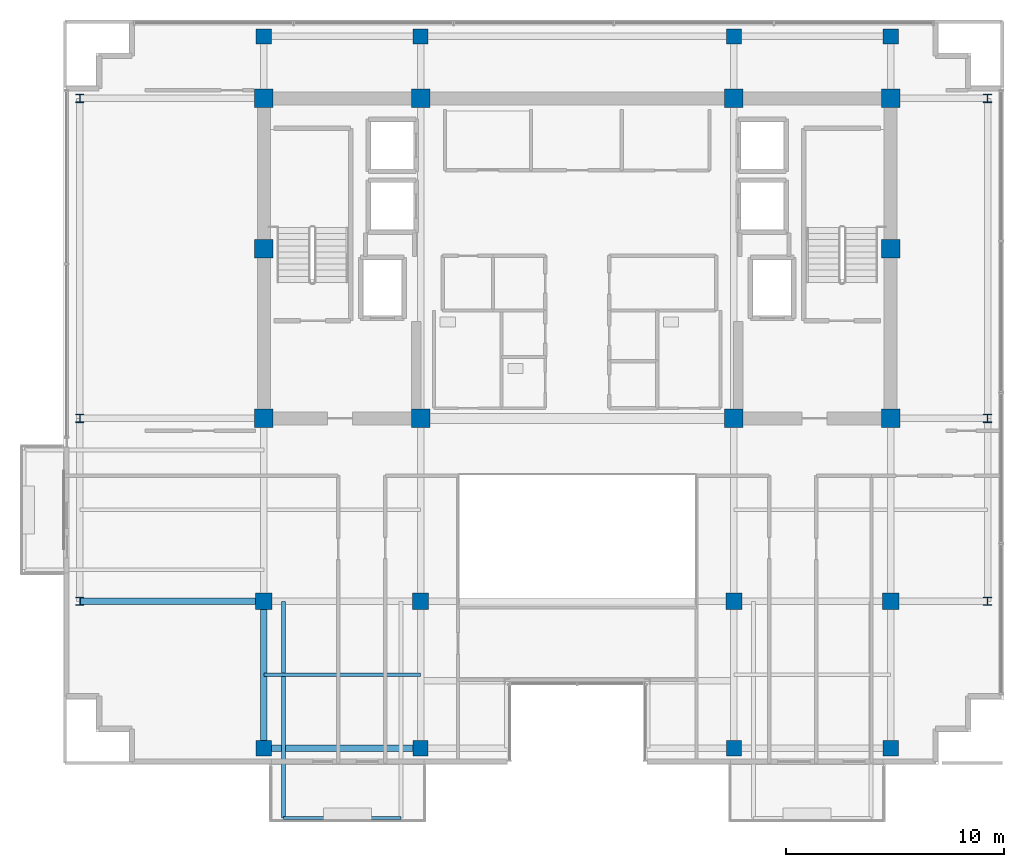
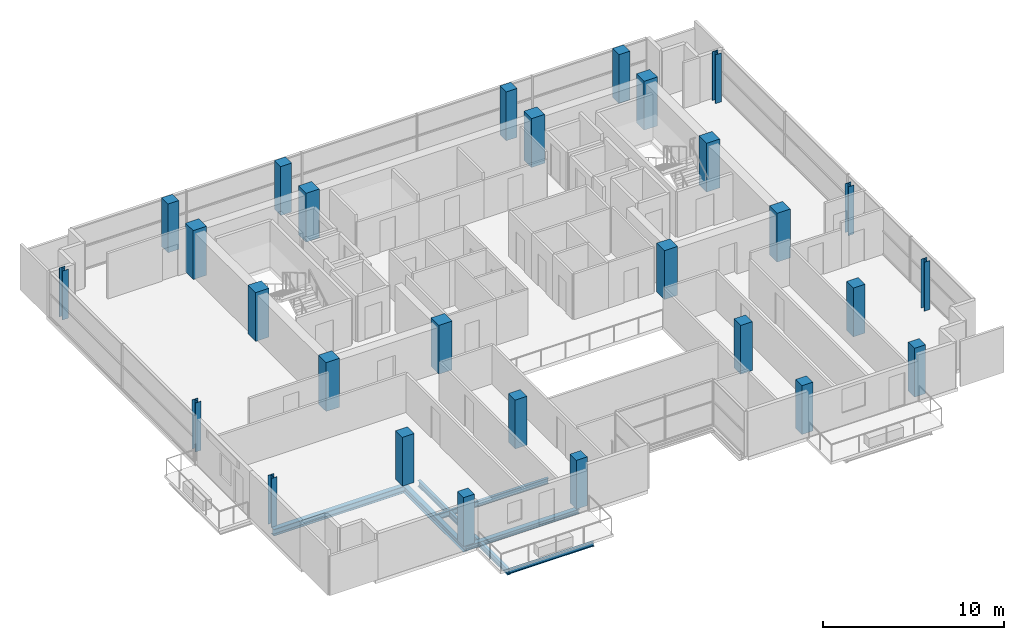
# One storey, part 1 of 22: 28 columns, 6 beams.
"""IFC4 building model written with IfcOpenShell, lengths in metres."""

import ifcopenshell
import ifcopenshell.guid

model = None  # the IFC model being written
_history = None  # IfcOwnerHistory: only IFC2X3 demands one
_inside = {}  # id of a spatial element -> (the spatial element, [elements in it])
_under = {}  # id of a project, library or spatial element -> (it, [spatial elements below it])
_declared = {}  # id of a project -> (the project, [libraries it declares])
_typed = {}  # id of a type object -> (the type object, [elements of that type])
_made_of = {}  # id of a material, layer set ... -> (it, [elements and type objects made of it])


def new_model(schema):
    """Start an empty IFC model of exactly this schema.

    Asked for "IFC4X3", IfcOpenShell would pick the latest addendum, in which some entities
    have other attributes; the version numbers below select the first issue.
    IFC2X3 requires an IfcOwnerHistory on every rooted entity: one is made here for all.
    """
    global model, _history
    if schema == "IFC4X3":
        model = ifcopenshell.file(schema_version=(4, 3, 0, 0))
    else:
        model = ifcopenshell.file(schema=schema)
    _inside.clear()
    _under.clear()
    _declared.clear()
    _typed.clear()
    _made_of.clear()
    _history = None
    if model.schema == "IFC2X3":
        org = make("IfcOrganization", Name="unknown")
        user = make(
            "IfcPersonAndOrganization",
            ThePerson=make("IfcPerson", FamilyName="unknown"),
            TheOrganization=org,
        )
        app = make(
            "IfcApplication",
            ApplicationDeveloper=org,
            Version="unknown",
            ApplicationFullName="unknown",
            ApplicationIdentifier="unknown",
        )
        _history = make(
            "IfcOwnerHistory",
            OwningUser=user,
            OwningApplication=app,
            ChangeAction="ADDED",
            CreationDate=0,
        )
    return model


def make(cls, **values):
    """One entity of the class cls with the attributes given. An attribute that is None is left unset."""
    return model.create_entity(
        cls, **{name: value for name, value in values.items() if value is not None}
    )


def rooted(cls, **values):
    """An entity with a GlobalId (a new one), such as an element, a storey or a relation."""
    return make(cls, GlobalId=ifcopenshell.guid.new(), OwnerHistory=_history, **values)


def si_unit(unit_type, name, prefix=None):
    """IfcSIUnit, for example si_unit("LENGTHUNIT", "METRE", prefix="MILLI")."""
    return make("IfcSIUnit", UnitType=unit_type, Prefix=prefix, Name=name)


def assignment(units):
    """IfcUnitAssignment: the units of a project."""
    return None if units is None else make("IfcUnitAssignment", Units=units)


def point(xyz):
    """IfcCartesianPoint."""
    return None if xyz is None else make("IfcCartesianPoint", Coordinates=xyz)


def direction(xyz):
    """IfcDirection."""
    return None if xyz is None else make("IfcDirection", DirectionRatios=xyz)


def frame(location, z_axis=None, x_axis=None):
    """IfcAxis2Placement3D, a coordinate frame: its origin and axes. An axis left out is left unset."""
    return make(
        "IfcAxis2Placement3D",
        Location=point(location),
        Axis=direction(z_axis),
        RefDirection=direction(x_axis),
    )


def frame_2d(location, x_axis=None):
    """IfcAxis2Placement2D, a coordinate frame in the plane: its origin and x axis."""
    return make(
        "IfcAxis2Placement2D", Location=point(location), RefDirection=direction(x_axis)
    )


def origin():
    """The frame at (0, 0, 0) with its axes left unset."""
    return frame((0.0, 0.0, 0.0))


def origin_2d():
    """The frame at (0, 0) in the plane with its x axis left unset."""
    return frame_2d((0.0, 0.0))


def place(relative_to, where):
    """IfcLocalPlacement: puts the frame where relative to a parent placement (None: the world)."""
    return make(
        "IfcLocalPlacement", PlacementRelTo=relative_to, RelativePlacement=where
    )


def context(
    kind, dimensions, precision=None, world=None, true_north=None, identifier=None
):
    """IfcGeometricRepresentationContext, for example the 3D "Model" context."""
    return make(
        "IfcGeometricRepresentationContext",
        ContextIdentifier=identifier,
        ContextType=kind,
        CoordinateSpaceDimension=dimensions,
        Precision=precision,
        WorldCoordinateSystem=world,
        TrueNorth=true_north,
    )


def subcontext(parent, identifier, kind, view, scale=None):
    """IfcGeometricRepresentationSubContext, for example "Body" below "Model"."""
    return make(
        "IfcGeometricRepresentationSubContext",
        ContextIdentifier=identifier,
        ContextType=kind,
        ParentContext=parent,
        TargetScale=scale,
        TargetView=view,
    )


def project(units=None, contexts=None):
    """IfcProject with its units and contexts."""
    return rooted(
        "IfcProject",
        Name="project",
        RepresentationContexts=contexts,
        UnitsInContext=assignment(units),
    )


def spatial(cls, under=None, at=None, **own):
    """A site, building, storey or space (cls), placed at a placement, below another one or the project."""
    s = rooted(cls, ObjectPlacement=at, **own)
    if under is not None:
        _under.setdefault(under.id(), (under, []))[1].append(s)
    return s


def profile(cls, at=None, kind="AREA", **sizes):
    """A parametric profile (cls). Its sizes go by their IFC names, for example OverallWidth=200.0."""
    return make(cls, ProfileType=kind, Position=at, **sizes)


def rectangle(**sizes):
    """IfcRectangleProfileDef."""
    return profile("IfcRectangleProfileDef", **sizes)


def i_section(**sizes):
    """IfcIShapeProfileDef."""
    return profile("IfcIShapeProfileDef", **sizes)


def extrude(swept, where, along, depth):
    """IfcExtrudedAreaSolid: the profile swept, set in the frame where, extruded along a direction by depth."""
    return make(
        "IfcExtrudedAreaSolid",
        SweptArea=swept,
        Position=where,
        ExtrudedDirection=direction(along),
        Depth=depth,
    )


def shape(context_of_items, identifier, shape_type, items):
    """IfcShapeRepresentation: the items that make up one representation, for example the "Body"."""
    return make(
        "IfcShapeRepresentation",
        ContextOfItems=context_of_items,
        RepresentationIdentifier=identifier,
        RepresentationType=shape_type,
        Items=items,
    )


def material(Name=None, Category=None):
    """IfcMaterial."""
    return make("IfcMaterial", Name=Name, Category=Category)


def material_profile(
    of_material, cross_section, Name=None, Category=None, Priority=None
):
    """IfcMaterialProfile: a cross section and its material."""
    return make(
        "IfcMaterialProfile",
        Name=Name,
        Material=of_material,
        Profile=cross_section,
        Priority=Priority,
        Category=Category,
    )


def profile_set(profiles, Name=None, composite=None):
    """IfcMaterialProfileSet."""
    return make(
        "IfcMaterialProfileSet",
        Name=Name,
        MaterialProfiles=profiles,
        CompositeProfile=composite,
    )


def made_of(thing, what):
    """Note that an element or type object is made of a material, layer set ...; save() writes the relation."""
    if what is not None:
        _made_of.setdefault(what.id(), (what, []))[1].append(thing)
    return thing


def type_object(cls, material=None, **own):
    """A type object (cls), such as IfcWallType, which elements share."""
    return made_of(rooted(cls, **own), material)


def element(
    cls,
    number,
    at=None,
    inside=None,
    cuts=None,
    type_object=None,
    material=None,
    context=None,
    identifier="Body",
    shape_type=None,
    held_by="IfcProductDefinitionShape",
    body=None,
    shapes=None,
    **own,
):
    """One element of the class cls, such as IfcWall. Its Tag is "e" and its number.

    at: its placement. inside: the storey or other place that contains it. cuts: it is an
    opening in that element (IfcRelVoidsElement). A single representation is given by context,
    identifier, shape_type and body (its items); several are given by shapes. held_by: the class
    of the entity that holds the representations. save() writes the other relations.
    """
    e = rooted(cls, Tag="e%d" % number, ObjectPlacement=at, **own)
    if body is not None:
        shapes = [shape(context, identifier, shape_type, body)]
    if shapes is not None:
        e.Representation = make(held_by, Representations=shapes)
    if inside is not None:
        _inside.setdefault(inside.id(), (inside, []))[1].append(e)
    if cuts is not None:
        rooted(
            "IfcRelVoidsElement", RelatingBuildingElement=cuts, RelatedOpeningElement=e
        )
    if type_object is not None:
        _typed.setdefault(type_object.id(), (type_object, []))[1].append(e)
    return made_of(e, material)


def aggregate(whole, parts):
    """IfcRelAggregates: a whole, such as a stair, and the parts it consists of."""
    return rooted("IfcRelAggregates", RelatingObject=whole, RelatedObjects=parts)


def save(model, path):
    """Write the relations noted so far, then the file.

    IfcRelAggregates (storeys below a building ...), IfcRelContainedInSpatialStructure (elements
    in a storey), IfcRelDefinesByType, IfcRelAssociatesMaterial and IfcRelDeclares: one each for
    every whole, place, type object, material and project.
    """
    for whole, parts in _under.values():
        aggregate(whole, parts)
    for where, things in _inside.values():
        rooted(
            "IfcRelContainedInSpatialStructure",
            RelatedElements=things,
            RelatingStructure=where,
        )
    for kind, things in _typed.values():
        rooted("IfcRelDefinesByType", RelatedObjects=things, RelatingType=kind)
    for what, things in _made_of.values():
        rooted("IfcRelAssociatesMaterial", RelatedObjects=things, RelatingMaterial=what)
    for by, libraries in _declared.values():
        rooted("IfcRelDeclares", RelatingContext=by, RelatedDefinitions=libraries)
    model.write(path)


model = new_model("IFC4")

# Units and contexts
model_context = context("Model", 3, precision=1e-05, world=origin(), true_north=direction((0.0, 1.0)))
body_context = subcontext(model_context, "Body", "Model", "MODEL_VIEW")
ifc_project = project(units=[si_unit("LENGTHUNIT", "METRE"), si_unit("AREAUNIT", "SQUARE_METRE"), si_unit("VOLUMEUNIT", "CUBIC_METRE"), si_unit("PLANEANGLEUNIT", "RADIAN"), si_unit("MASSUNIT", "GRAM", prefix="KILO")], contexts=[model_context])

# Site, building, storey
site_placement = place(None, origin())
site = spatial("IfcSite", under=ifc_project, at=site_placement, CompositionType="ELEMENT")
building_placement = place(site_placement, origin())
building = spatial("IfcBuilding", under=site, at=building_placement, Name="Zarnakvel Exchange Tower", CompositionType="ELEMENT")
storey_placement = place(building_placement, frame((0.0, 0.0, 228.699951171875)))
storey = spatial("IfcBuildingStorey", under=building, at=storey_placement, Name="L64", CompositionType="ELEMENT", Elevation=228.699951171875)

# Columns
ifc_material_1 = material(Name="Concrete C50/60", Category="concrete")
ifc_material_profile_1 = material_profile(ifc_material_1, rectangle(XDim=0.85009765625, YDim=0.85009765625, at=origin_2d()))
ifc_profile_set_1 = profile_set([ifc_material_profile_1], Name="Concrete C50/60")
column_type_1 = type_object("IfcColumnType", Name="CC-03", PredefinedType="COLUMN", material=ifc_profile_set_1)
for number, where, z_axis, x_axis, name in (
    (1, (-14.39990234375, -1.199951171875, 0.0), (0.0, 0.0, 1.0), (1.0, 0.0, 0.0), "L64 Column C-4D (CC-03)"),
    (2, (-7.199951171875, -1.199951171875, 0.0), (0.0, 0.0, 1.0), (1.0, 0.0, 0.0), "L64 Column C-5D (CC-03)"),
    (3, (7.199951171875, -1.199951171875, 0.0), (0.0, 0.0, 1.0), (1.0, 0.0, 0.0), "L64 Column C-8D (CC-03)"),
    (4, (14.39990234375, -1.199951171875, 0.0), (0.0, 0.0, 1.0), (1.0, 0.0, 0.0), "L64 Column C-9D (CC-03)"),
    (5, (-14.39990234375, 6.60009765625, 0.0), (0.0, 0.0, 1.0), (1.0, 0.0, 0.0), "L64 Column C-4E (CC-03)"),
    (6, (14.39990234375, 6.60009765625, 0.0), (0.0, 0.0, 1.0), (1.0, 0.0, 0.0), "L64 Column C-9E (CC-03)"),
    (7, (-14.39990234375, 13.5, 0.0), (0.0, 0.0, 1.0), (1.0, 0.0, 0.0), "L64 Column C-4F (CC-03)"),
    (8, (-7.199951171875, 13.5, 0.0), (0.0, 0.0, 1.0), (1.0, 0.0, 0.0), "L64 Column C-5F (CC-03)"),
    (9, (7.199951171875, 13.5, 0.0), (0.0, 0.0, 1.0), (1.0, 0.0, 0.0), "L64 Column C-8F (CC-03)"),
    (10, (14.39990234375, 13.5, 0.0), (0.0, 0.0, 1.0), (1.0, 0.0, 0.0), "L64 Column C-9F (CC-03)"),
):
    element("IfcColumn", number, at=place(storey_placement, frame(where, z_axis=z_axis, x_axis=x_axis)), inside=storey, type_object=column_type_1, Name=name, PredefinedType="COLUMN", context=body_context, shape_type="SweptSolid", body=[
        extrude(rectangle(XDim=0.85009765625, YDim=0.85009765625, at=origin_2d()), origin(), (0.0, 0.0, 1.0), 3.300048828125),
    ])
ifc_material_2 = material(Name="Steel S355", Category="steel")
ifc_material_profile_2 = material_profile(ifc_material_2, i_section(OverallWidth=0.374755859375, OverallDepth=0.37451171875, WebThickness=0.0166015625, FlangeThickness=0.027099609375, FilletRadius=0.01513671875, at=origin_2d()))
ifc_profile_set_2 = profile_set([ifc_material_profile_2], Name="Steel S355")
column_type_2 = type_object("IfcColumnType", Name="SC-05", PredefinedType="COLUMN", material=ifc_profile_set_2)
for number, where, z_axis, x_axis, name in (
    (11, (-22.85009765625, -9.60009765625, 0.0), (0.0, 0.0, 1.0), (1.0, 0.0, 0.0), "L64 Column TW-C (SC-05)"),
    (12, (18.85009765625, -9.60009765625, 0.0), (0.0, 0.0, 1.0), (1.0, 0.0, 0.0), "L64 Column TE-C (SC-05)"),
    (13, (-22.85009765625, -1.199951171875, 0.0), (0.0, 0.0, 1.0), (1.0, 0.0, 0.0), "L64 Column TW-D (SC-05)"),
    (14, (18.85009765625, -1.199951171875, 0.0), (0.0, 0.0, 1.0), (1.0, 0.0, 0.0), "L64 Column TE-D (SC-05)"),
    (15, (-22.85009765625, 13.5, 0.0), (0.0, 0.0, 1.0), (1.0, 0.0, 0.0), "L64 Column TW-F (SC-05)"),
    (16, (18.85009765625, 13.5, 0.0), (0.0, 0.0, 1.0), (1.0, 0.0, 0.0), "L64 Column TE-F (SC-05)"),
):
    element("IfcColumn", number, at=place(storey_placement, frame(where, z_axis=z_axis, x_axis=x_axis)), inside=storey, type_object=column_type_2, Name=name, PredefinedType="COLUMN", context=body_context, shape_type="SweptSolid", body=[
        extrude(i_section(OverallWidth=0.374755859375, OverallDepth=0.37451171875, WebThickness=0.0166015625, FlangeThickness=0.027099609375, FilletRadius=0.01513671875, at=origin_2d()), origin(), (0.0, 0.0, 1.0), 3.300048828125),
    ])
ifc_material_profile_3 = material_profile(ifc_material_1, rectangle(XDim=0.75, YDim=0.75, at=origin_2d()))
ifc_profile_set_3 = profile_set([ifc_material_profile_3], Name="Concrete C50/60")
column_type_3 = type_object("IfcColumnType", Name="TC-04", PredefinedType="COLUMN", material=ifc_profile_set_3)
for number, where, z_axis, x_axis, name in (
    (17, (-14.39990234375, -9.60009765625, 0.0), (0.0, 0.0, 1.0), (1.0, 0.0, 0.0), "L64 Column T-4C (TC-04)"),
    (18, (-7.199951171875, -9.60009765625, 0.0), (0.0, 0.0, 1.0), (1.0, 0.0, 0.0), "L64 Column T-5C (TC-04)"),
    (19, (7.199951171875, -9.60009765625, 0.0), (0.0, 0.0, 1.0), (1.0, 0.0, 0.0), "L64 Column T-8C (TC-04)"),
    (20, (14.39990234375, -9.60009765625, 0.0), (0.0, 0.0, 1.0), (1.0, 0.0, 0.0), "L64 Column T-9C (TC-04)"),
):
    element("IfcColumn", number, at=place(storey_placement, frame(where, z_axis=z_axis, x_axis=x_axis)), inside=storey, type_object=column_type_3, Name=name, PredefinedType="COLUMN", context=body_context, shape_type="SweptSolid", body=[
        extrude(rectangle(XDim=0.75, YDim=0.75, at=origin_2d()), origin(), (0.0, 0.0, 1.0), 3.300048828125),
    ])
ifc_material_profile_4 = material_profile(ifc_material_1, rectangle(XDim=0.699951171875, YDim=0.699951171875, at=origin_2d()))
ifc_profile_set_4 = profile_set([ifc_material_profile_4], Name="Concrete C50/60")
column_type_4 = type_object("IfcColumnType", Name="TC-05", PredefinedType="COLUMN", material=ifc_profile_set_4)
for number, where, z_axis, x_axis, name in (
    (21, (-14.39990234375, -16.35009765625, 0.0), (0.0, 0.0, 1.0), (1.0, 0.0, 0.0), "L64 Column TS-4 (TC-05)"),
    (22, (-14.39990234375, 16.35009765625, 0.0), (0.0, 0.0, 1.0), (1.0, 0.0, 0.0), "L64 Column TN-4 (TC-05)"),
    (23, (-7.199951171875, -16.35009765625, 0.0), (0.0, 0.0, 1.0), (1.0, 0.0, 0.0), "L64 Column TS-5 (TC-05)"),
    (24, (-7.199951171875, 16.35009765625, 0.0), (0.0, 0.0, 1.0), (1.0, 0.0, 0.0), "L64 Column TN-5 (TC-05)"),
    (25, (7.199951171875, -16.35009765625, 0.0), (0.0, 0.0, 1.0), (1.0, 0.0, 0.0), "L64 Column TS-8 (TC-05)"),
    (26, (7.199951171875, 16.35009765625, 0.0), (0.0, 0.0, 1.0), (1.0, 0.0, 0.0), "L64 Column TN-8 (TC-05)"),
    (27, (14.39990234375, -16.35009765625, 0.0), (0.0, 0.0, 1.0), (1.0, 0.0, 0.0), "L64 Column TS-9 (TC-05)"),
    (28, (14.39990234375, 16.35009765625, 0.0), (0.0, 0.0, 1.0), (1.0, 0.0, 0.0), "L64 Column TN-9 (TC-05)"),
):
    element("IfcColumn", number, at=place(storey_placement, frame(where, z_axis=z_axis, x_axis=x_axis)), inside=storey, type_object=column_type_4, Name=name, PredefinedType="COLUMN", context=body_context, shape_type="SweptSolid", body=[
        extrude(rectangle(XDim=0.699951171875, YDim=0.699951171875, at=origin_2d()), origin(), (0.0, 0.0, 1.0), 3.300048828125),
    ])

# Beams
ifc_material_profile_5 = material_profile(ifc_material_2, i_section(OverallWidth=0.179931640625, OverallDepth=0.39990234375, WebThickness=0.008544921875, FlangeThickness=0.013427734375, FilletRadius=0.02099609375, at=origin_2d()))
ifc_profile_set_5 = profile_set([ifc_material_profile_5], Name="Steel S355")
beam_type_1 = type_object("IfcBeamType", Name="B-06", PredefinedType="JOIST", material=ifc_profile_set_5)
beam_1_placement = place(storey_placement, frame((-13.5, -9.60009765625, -0.425048828125), z_axis=(0.0, -1.0, 0.0), x_axis=(1.0, 0.0, 0.0)))
element("IfcBeam", 29, at=beam_1_placement, inside=storey, type_object=beam_type_1, Name="L64 Continuous Back-Spanned Balcony Beam W", PredefinedType="JOIST", context=body_context, shape_type="SweptSolid", body=[
    extrude(i_section(OverallWidth=0.179931640625, OverallDepth=0.39990234375, WebThickness=0.008544921875, FlangeThickness=0.013427734375, FilletRadius=0.02099609375, at=origin_2d()), origin(), (0.0, 0.0, 1.0), 9.949951171875),
])
ifc_material_profile_6 = material_profile(ifc_material_2, i_section(OverallWidth=0.169921875, OverallDepth=0.360107421875, WebThickness=0.008056640625, FlangeThickness=0.0126953125, FilletRadius=0.01806640625, at=origin_2d()))
ifc_profile_set_6 = profile_set([ifc_material_profile_6], Name="Steel S355")
beam_type_2 = type_object("IfcBeamType", Name="B-07", PredefinedType="JOIST", material=ifc_profile_set_6)
beam_2_placement = place(storey_placement, frame((-14.39990234375, -12.97509765625, -0.405029296875), z_axis=(1.0, 0.0, 0.0), x_axis=(0.0, 1.0, 0.0)))
element("IfcBeam", 30, at=beam_2_placement, inside=storey, type_object=beam_type_2, Name="L64 Composite Floor Secondary Joist", PredefinedType="JOIST", context=body_context, shape_type="SweptSolid", body=[
    extrude(i_section(OverallWidth=0.169921875, OverallDepth=0.360107421875, WebThickness=0.008056640625, FlangeThickness=0.0126953125, FilletRadius=0.01806640625, at=origin_2d()), origin(), (0.0, 0.0, 1.0), 7.199951171875),
])
ifc_material_profile_7 = material_profile(ifc_material_2, i_section(OverallWidth=0.14990234375, OverallDepth=0.300048828125, WebThickness=0.007080078125, FlangeThickness=0.0107421875, FilletRadius=0.014892578125, at=origin_2d()))
ifc_profile_set_7 = profile_set([ifc_material_profile_7], Name="Steel S355")
beam_type_3 = type_object("IfcBeamType", Name="B-08", PredefinedType="JOIST", material=ifc_profile_set_7)
beam_3_placement = place(storey_placement, frame((-13.5, -19.550048828125, -0.375), z_axis=(1.0, 0.0, 0.0), x_axis=(0.0, 1.0, 0.0)))
element("IfcBeam", 31, at=beam_3_placement, inside=storey, type_object=beam_type_3, Name="L64 Balcony Edge Beam", PredefinedType="JOIST", context=body_context, shape_type="SweptSolid", body=[
    extrude(i_section(OverallWidth=0.14990234375, OverallDepth=0.300048828125, WebThickness=0.007080078125, FlangeThickness=0.0107421875, FilletRadius=0.014892578125, at=origin_2d()), origin(), (0.0, 0.0, 1.0), 5.39990234375),
])
ifc_material_profile_8 = material_profile(ifc_material_2, i_section(OverallWidth=0.300048828125, OverallDepth=0.449951171875, WebThickness=0.013916015625, FlangeThickness=0.02587890625, FilletRadius=0.027099609375, at=origin_2d()))
ifc_profile_set_8 = profile_set([ifc_material_profile_8], Name="Steel S355")
beam_type_4 = type_object("IfcBeamType", Name="G-07", PredefinedType="BEAM", material=ifc_profile_set_8)
beam_4_placement = place(storey_placement, frame((-22.85009765625, -9.60009765625, -0.449951171875), z_axis=(1.0, 0.0, 0.0), x_axis=(0.0, 1.0, 0.0)))
element("IfcBeam", 32, at=beam_4_placement, inside=storey, type_object=beam_type_4, Name="L64 Tower E-W Frame Beam", PredefinedType="BEAM", context=body_context, shape_type="SweptSolid", body=[
    extrude(i_section(OverallWidth=0.300048828125, OverallDepth=0.449951171875, WebThickness=0.013916015625, FlangeThickness=0.02587890625, FilletRadius=0.027099609375, at=origin_2d()), origin(), (0.0, 0.0, 1.0), 8.4501953125),
])
beam_5_placement = place(storey_placement, frame((-14.39990234375, -16.35009765625, -0.449951171875), z_axis=(0.0, 1.0, 0.0), x_axis=(-1.0, 0.0, 0.0)))
element("IfcBeam", 33, at=beam_5_placement, inside=storey, type_object=beam_type_4, Name="L64 Tower N-S Frame Beam", PredefinedType="BEAM", context=body_context, shape_type="SweptSolid", body=[
    extrude(i_section(OverallWidth=0.300048828125, OverallDepth=0.449951171875, WebThickness=0.013916015625, FlangeThickness=0.02587890625, FilletRadius=0.027099609375, at=origin_2d()), origin(), (0.0, 0.0, 1.0), 6.75),
])
ifc_material_profile_9 = material_profile(ifc_material_2, i_section(OverallWidth=0.300048828125, OverallDepth=0.300048828125, WebThickness=0.010986328125, FlangeThickness=0.01904296875, FilletRadius=0.027099609375, at=origin_2d()))
ifc_profile_set_9 = profile_set([ifc_material_profile_9], Name="Steel S355")
beam_type_5 = type_object("IfcBeamType", Name="SP-03", PredefinedType="SPANDREL", material=ifc_profile_set_9)
beam_6_placement = place(storey_placement, frame((-14.39990234375, -16.35009765625, -0.375), z_axis=(1.0, 0.0, 0.0), x_axis=(0.0, 1.0, 0.0)))
element("IfcBeam", 34, at=beam_6_placement, inside=storey, type_object=beam_type_5, Name="L64 Tower E-W Frame Beam", PredefinedType="SPANDREL", context=body_context, shape_type="SweptSolid", body=[
    extrude(i_section(OverallWidth=0.300048828125, OverallDepth=0.300048828125, WebThickness=0.010986328125, FlangeThickness=0.01904296875, FilletRadius=0.027099609375, at=origin_2d()), origin(), (0.0, 0.0, 1.0), 7.199951171875),
])

save(model, "model.ifc")
